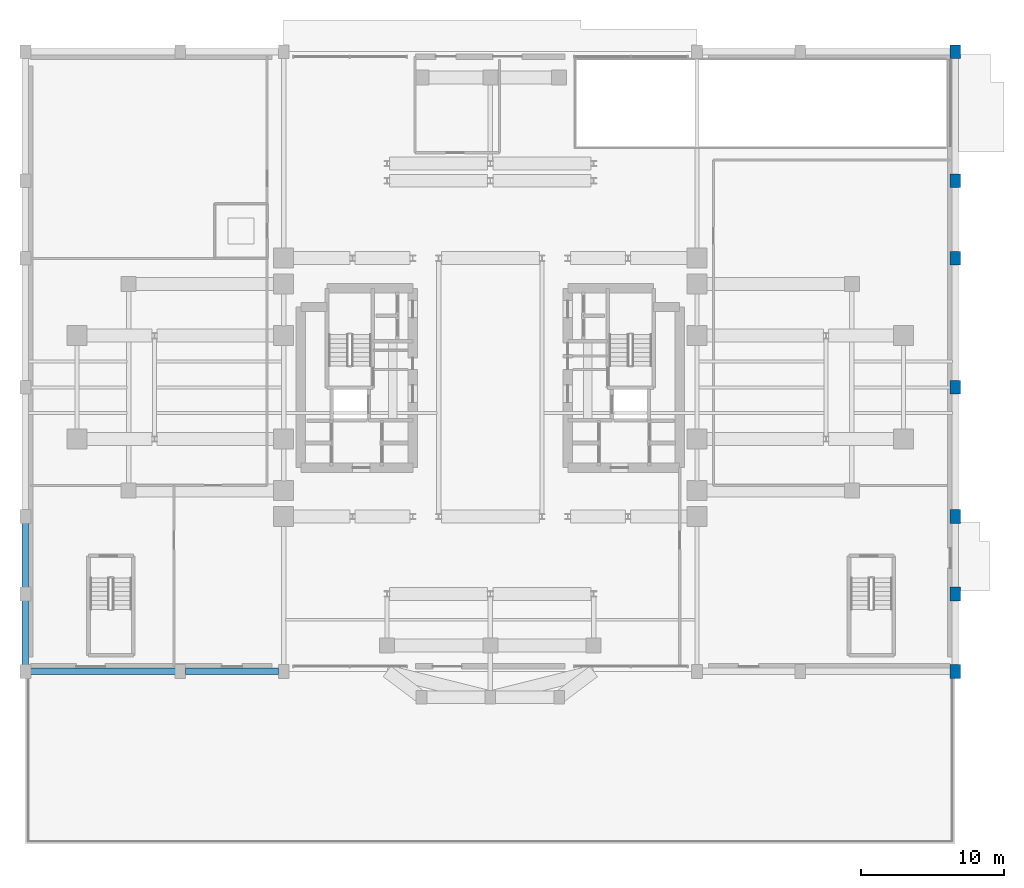
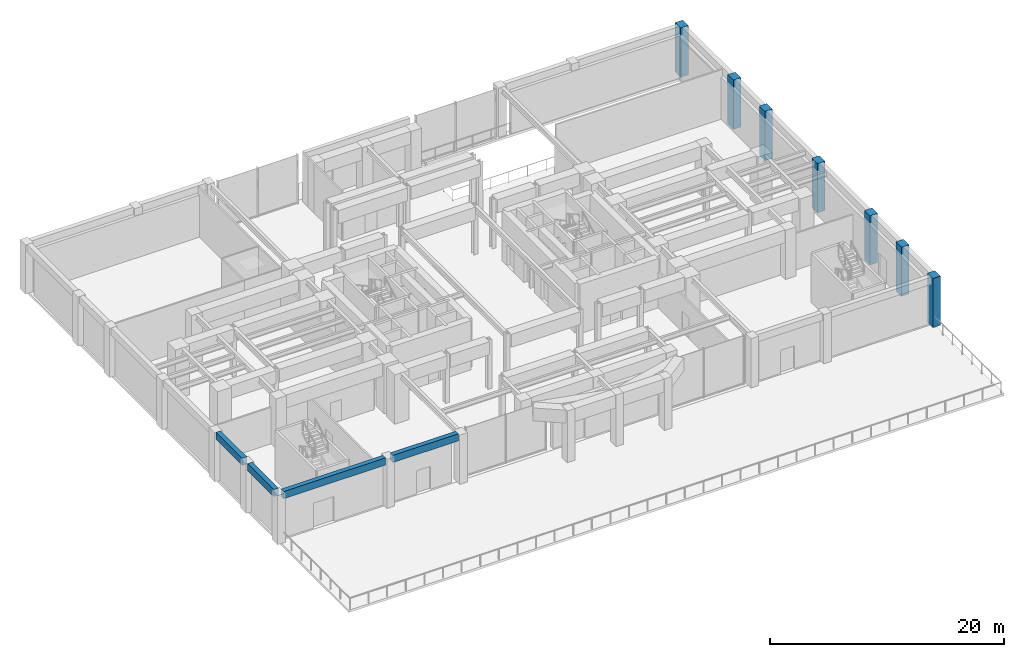
# One storey, part 3 of 17: 7 columns, 4 beams.
"""IFC4 building model written with IfcOpenShell, lengths in metres."""

from ifc_helpers import new_model, si_unit, direction, frame, origin, origin_2d, place, context, subcontext, project, spatial, rectangle, extrude, source, transform, mapped, material, material_profile, profile_set, type_object, element, save


model = new_model("IFC4")

# Units and contexts
model_context = context("Model", 3, precision=1e-05, world=origin(), true_north=direction((0.0, 1.0)))
body_context = subcontext(model_context, "Body", "Model", "MODEL_VIEW")
ifc_project = project(units=[si_unit("LENGTHUNIT", "METRE"), si_unit("AREAUNIT", "SQUARE_METRE"), si_unit("VOLUMEUNIT", "CUBIC_METRE"), si_unit("PLANEANGLEUNIT", "RADIAN"), si_unit("MASSUNIT", "GRAM", prefix="KILO")], contexts=[model_context])

# Site, building, storey
site_placement = place(None, origin())
site = spatial("IfcSite", under=ifc_project, at=site_placement, CompositionType="ELEMENT")
building_placement = place(site_placement, origin())
building = spatial("IfcBuilding", under=site, at=building_placement, Name="Keilestroom Media Tower", CompositionType="ELEMENT")
storey_placement = place(building_placement, origin())
storey = spatial("IfcBuildingStorey", under=building, at=storey_placement, Name="L00", CompositionType="ELEMENT", Elevation=0.0)

# Columns
ifc_material = material(Name="Precast concrete C40/50", Category="concrete")
ifc_material_profile_1 = material_profile(ifc_material, rectangle(XDim=0.75, YDim=0.949951171875, at=origin_2d()), Name="PC 950x750")
ifc_profile_set_1 = profile_set([ifc_material_profile_1], Name="Precast concrete C40/50")
column_type = type_object("IfcColumnType", Name="Structural-Column-PC-950x750", PredefinedType="COLUMN", material=ifc_profile_set_1)
shared_shape_1 = source(origin(), body_context, "Body", "SweptSolid", [
    extrude(rectangle(XDim=0.75, YDim=0.949951171875, at=origin_2d()), origin(), (0.0, 0.0, 1.0), 5.14990234375),
])
for number, where, z_axis, x_axis, name in (
    (1, (32.39990234375, -19.800048828125, 0.0), (0.0, 0.0, 1.0), (1.0, 0.0, 0.0), "L00 Column PC-1 (+32.4,-19.8)"),
    (2, (32.39990234375, -14.39990234375, 0.0), (0.0, 0.0, 1.0), (1.0, 0.0, 0.0), "L00 Column PC-1 (+32.4,-14.4)"),
    (3, (32.39990234375, -9.0, 0.0), (0.0, 0.0, 1.0), (1.0, 0.0, 0.0), "L00 Column PC-1 (+32.4,-9.0)"),
    (4, (32.39990234375, 0.0, 0.0), (0.0, 0.0, 1.0), (1.0, 0.0, 0.0), "L00 Column PC-1 (+32.4,+0.0)"),
    (5, (32.39990234375, 9.0, 0.0), (0.0, 0.0, 1.0), (1.0, 0.0, 0.0), "L00 Column PC-1 (+32.4,+9.0)"),
    (6, (32.39990234375, 14.39990234375, 0.0), (0.0, 0.0, 1.0), (1.0, 0.0, 0.0), "L00 Column PC-1 (+32.4,+14.4)"),
    (7, (32.39990234375, 23.39990234375, 0.0), (0.0, 0.0, 1.0), (1.0, 0.0, 0.0), "L00 Column PC-1 (+32.4,+23.4)"),
):
    element("IfcColumn", number, at=place(storey_placement, frame(where, z_axis=z_axis, x_axis=x_axis)), inside=storey, type_object=column_type, Name=name, PredefinedType="COLUMN", context=body_context, shape_type="MappedRepresentation", body=[
        mapped(shared_shape_1, transform((0.0, 0.0, 0.0), x_axis=(1.0, 0.0, 0.0), y_axis=(0.0, 1.0, 0.0), z_axis=(0.0, 0.0, 1.0), scale=1.0)),
    ])

# Beams
ifc_material_profile_2 = material_profile(ifc_material, rectangle(XDim=0.449951171875, YDim=0.75, at=origin_2d()), Name="PC 450x750")
ifc_profile_set_2 = profile_set([ifc_material_profile_2], Name="Precast concrete C40/50")
beam_type = type_object("IfcBeamType", Name="Perimeter-Spandrel-Beam-PC-450x750", PredefinedType="SPANDREL", material=ifc_profile_set_2)
shared_shape_2 = source(origin(), body_context, "Body", "SweptSolid", [
    extrude(rectangle(XDim=0.449951171875, YDim=0.75, at=origin_2d()), origin(), (0.0, 0.0, 1.0), 10.08984375),
])
beam_1_placement = place(storey_placement, frame((-32.044921875, -19.800048828125, 4.77490234375), z_axis=(1.0, 0.0, 0.0), x_axis=(0.0, 1.0, 0.0)))
element("IfcBeam", 8, at=beam_1_placement, inside=storey, type_object=beam_type, Name="L00 Beam SPB-1 BM-L00-EW-001", PredefinedType="SPANDREL", context=body_context, shape_type="MappedRepresentation", body=[
    mapped(shared_shape_2, transform((0.0, 0.0, 0.0), x_axis=(1.0, 0.0, 0.0), y_axis=(0.0, 1.0, 0.0), z_axis=(0.0, 0.0, 1.0), scale=1.0)),
])
shared_shape_3 = source(origin(), body_context, "Body", "SweptSolid", [
    extrude(rectangle(XDim=0.449951171875, YDim=0.75, at=origin_2d()), origin(), (0.0, 0.0, 1.0), 6.490234375),
])
beam_2_placement = place(storey_placement, frame((-21.2451171875, -19.800048828125, 4.77490234375), z_axis=(1.0, 0.0, 0.0), x_axis=(0.0, 1.0, 0.0)))
element("IfcBeam", 9, at=beam_2_placement, inside=storey, type_object=beam_type, Name="L00 Beam SPB-1 BM-L00-EW-002", PredefinedType="SPANDREL", context=body_context, shape_type="MappedRepresentation", body=[
    mapped(shared_shape_3, transform((0.0, 0.0, 0.0), x_axis=(1.0, 0.0, 0.0), y_axis=(0.0, 1.0, 0.0), z_axis=(0.0, 0.0, 1.0), scale=1.0)),
])
shared_shape_4 = source(origin(), body_context, "Body", "SweptSolid", [
    extrude(rectangle(XDim=0.449951171875, YDim=0.75, at=origin_2d()), origin(), (0.0, 0.0, 1.0), 4.489990234375),
])
for number, where, z_axis, x_axis, name in (
    (10, (-32.39990234375, -19.344970703125, 4.77490234375), (0.0, 1.0, 0.0), (-1.0, 0.0, 0.0), "L00 Beam SPB-1 BM-L00-NS-045"),
    (11, (-32.39990234375, -13.945068359375, 4.77490234375), (0.0, 1.0, 0.0), (-1.0, 0.0, 0.0), "L00 Beam SPB-1 BM-L00-NS-046"),
):
    element("IfcBeam", number, at=place(storey_placement, frame(where, z_axis=z_axis, x_axis=x_axis)), inside=storey, type_object=beam_type, Name=name, PredefinedType="SPANDREL", context=body_context, shape_type="MappedRepresentation", body=[
        mapped(shared_shape_4, transform((0.0, 0.0, 0.0), x_axis=(1.0, 0.0, 0.0), y_axis=(0.0, 1.0, 0.0), z_axis=(0.0, 0.0, 1.0), scale=1.0)),
    ])

save(model, "model.ifc")
